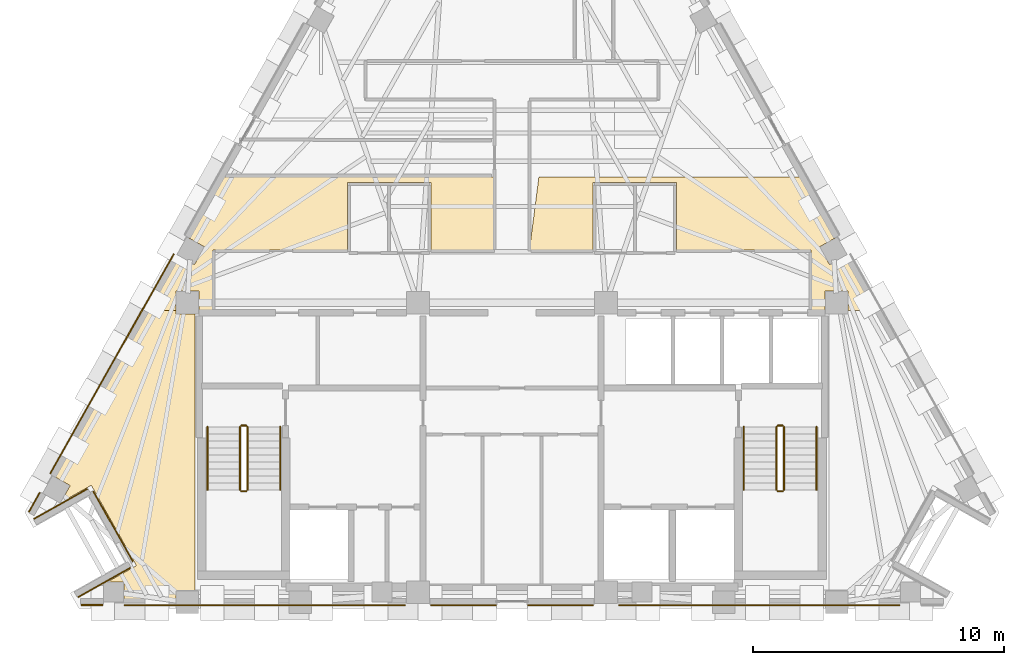
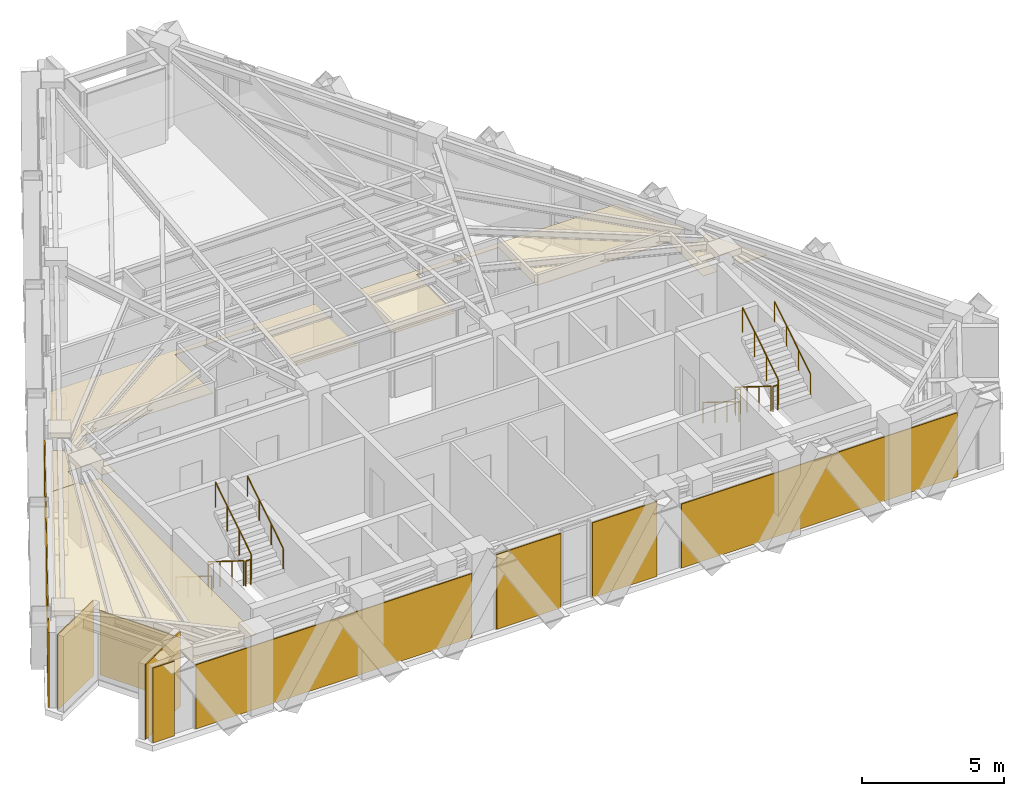
# One storey, part 8 of 9: 13 coverings, 12 railings.
"""IFC4 building model written with IfcOpenShell, lengths in metres."""

import ifcopenshell
import ifcopenshell.guid

model = None  # the IFC model being written
_history = None  # IfcOwnerHistory: only IFC2X3 demands one
_inside = {}  # id of a spatial element -> (the spatial element, [elements in it])
_under = {}  # id of a project, library or spatial element -> (it, [spatial elements below it])
_declared = {}  # id of a project -> (the project, [libraries it declares])
_typed = {}  # id of a type object -> (the type object, [elements of that type])
_made_of = {}  # id of a material, layer set ... -> (it, [elements and type objects made of it])


def new_model(schema):
    """Start an empty IFC model of exactly this schema.

    Asked for "IFC4X3", IfcOpenShell would pick the latest addendum, in which some entities
    have other attributes; the version numbers below select the first issue.
    IFC2X3 requires an IfcOwnerHistory on every rooted entity: one is made here for all.
    """
    global model, _history
    if schema == "IFC4X3":
        model = ifcopenshell.file(schema_version=(4, 3, 0, 0))
    else:
        model = ifcopenshell.file(schema=schema)
    _inside.clear()
    _under.clear()
    _declared.clear()
    _typed.clear()
    _made_of.clear()
    _history = None
    if model.schema == "IFC2X3":
        org = make("IfcOrganization", Name="unknown")
        user = make(
            "IfcPersonAndOrganization",
            ThePerson=make("IfcPerson", FamilyName="unknown"),
            TheOrganization=org,
        )
        app = make(
            "IfcApplication",
            ApplicationDeveloper=org,
            Version="unknown",
            ApplicationFullName="unknown",
            ApplicationIdentifier="unknown",
        )
        _history = make(
            "IfcOwnerHistory",
            OwningUser=user,
            OwningApplication=app,
            ChangeAction="ADDED",
            CreationDate=0,
        )
    return model


def make(cls, **values):
    """One entity of the class cls with the attributes given. An attribute that is None is left unset."""
    return model.create_entity(
        cls, **{name: value for name, value in values.items() if value is not None}
    )


def rooted(cls, **values):
    """An entity with a GlobalId (a new one), such as an element, a storey or a relation."""
    return make(cls, GlobalId=ifcopenshell.guid.new(), OwnerHistory=_history, **values)


def si_unit(unit_type, name, prefix=None):
    """IfcSIUnit, for example si_unit("LENGTHUNIT", "METRE", prefix="MILLI")."""
    return make("IfcSIUnit", UnitType=unit_type, Prefix=prefix, Name=name)


def assignment(units):
    """IfcUnitAssignment: the units of a project."""
    return None if units is None else make("IfcUnitAssignment", Units=units)


def point(xyz):
    """IfcCartesianPoint."""
    return None if xyz is None else make("IfcCartesianPoint", Coordinates=xyz)


def direction(xyz):
    """IfcDirection."""
    return None if xyz is None else make("IfcDirection", DirectionRatios=xyz)


def frame(location, z_axis=None, x_axis=None):
    """IfcAxis2Placement3D, a coordinate frame: its origin and axes. An axis left out is left unset."""
    return make(
        "IfcAxis2Placement3D",
        Location=point(location),
        Axis=direction(z_axis),
        RefDirection=direction(x_axis),
    )


def frame_2d(location, x_axis=None):
    """IfcAxis2Placement2D, a coordinate frame in the plane: its origin and x axis."""
    return make(
        "IfcAxis2Placement2D", Location=point(location), RefDirection=direction(x_axis)
    )


def origin():
    """The frame at (0, 0, 0) with its axes left unset."""
    return frame((0.0, 0.0, 0.0))


def origin_2d():
    """The frame at (0, 0) in the plane with its x axis left unset."""
    return frame_2d((0.0, 0.0))


def place(relative_to, where):
    """IfcLocalPlacement: puts the frame where relative to a parent placement (None: the world)."""
    return make(
        "IfcLocalPlacement", PlacementRelTo=relative_to, RelativePlacement=where
    )


def context(
    kind, dimensions, precision=None, world=None, true_north=None, identifier=None
):
    """IfcGeometricRepresentationContext, for example the 3D "Model" context."""
    return make(
        "IfcGeometricRepresentationContext",
        ContextIdentifier=identifier,
        ContextType=kind,
        CoordinateSpaceDimension=dimensions,
        Precision=precision,
        WorldCoordinateSystem=world,
        TrueNorth=true_north,
    )


def subcontext(parent, identifier, kind, view, scale=None):
    """IfcGeometricRepresentationSubContext, for example "Body" below "Model"."""
    return make(
        "IfcGeometricRepresentationSubContext",
        ContextIdentifier=identifier,
        ContextType=kind,
        ParentContext=parent,
        TargetScale=scale,
        TargetView=view,
    )


def project(units=None, contexts=None):
    """IfcProject with its units and contexts."""
    return rooted(
        "IfcProject",
        Name="project",
        RepresentationContexts=contexts,
        UnitsInContext=assignment(units),
    )


def spatial(cls, under=None, at=None, **own):
    """A site, building, storey or space (cls), placed at a placement, below another one or the project."""
    s = rooted(cls, ObjectPlacement=at, **own)
    if under is not None:
        _under.setdefault(under.id(), (under, []))[1].append(s)
    return s


def polyline(points):
    """IfcPolyline through the points."""
    return make("IfcPolyline", Points=[point(p) for p in points])


def profile(cls, at=None, kind="AREA", **sizes):
    """A parametric profile (cls). Its sizes go by their IFC names, for example OverallWidth=200.0."""
    return make(cls, ProfileType=kind, Position=at, **sizes)


def circle(**sizes):
    """IfcCircleProfileDef."""
    return profile("IfcCircleProfileDef", **sizes)


def outline(outer, holes=None, kind="AREA"):
    """IfcArbitraryClosedProfileDef: a profile drawn as a closed curve; with holes, ...WithVoids."""
    if holes is None:
        return make("IfcArbitraryClosedProfileDef", ProfileType=kind, OuterCurve=outer)
    return make(
        "IfcArbitraryProfileDefWithVoids",
        ProfileType=kind,
        OuterCurve=outer,
        InnerCurves=holes,
    )


def extrude(swept, where, along, depth):
    """IfcExtrudedAreaSolid: the profile swept, set in the frame where, extruded along a direction by depth."""
    return make(
        "IfcExtrudedAreaSolid",
        SweptArea=swept,
        Position=where,
        ExtrudedDirection=direction(along),
        Depth=depth,
    )


def shape(context_of_items, identifier, shape_type, items):
    """IfcShapeRepresentation: the items that make up one representation, for example the "Body"."""
    return make(
        "IfcShapeRepresentation",
        ContextOfItems=context_of_items,
        RepresentationIdentifier=identifier,
        RepresentationType=shape_type,
        Items=items,
    )


def material(Name=None, Category=None):
    """IfcMaterial."""
    return make("IfcMaterial", Name=Name, Category=Category)


def layer(
    of_material, thickness, ventilated=None, Name=None, Category=None, Priority=None
):
    """IfcMaterialLayer: one layer of a wall or slab, of a material (None: an air gap)."""
    return make(
        "IfcMaterialLayer",
        Material=of_material,
        LayerThickness=thickness,
        IsVentilated=ventilated,
        Name=Name,
        Category=Category,
        Priority=Priority,
    )


def layer_set(layers, Name=None):
    """IfcMaterialLayerSet."""
    return make("IfcMaterialLayerSet", MaterialLayers=layers, LayerSetName=Name)


def made_of(thing, what):
    """Note that an element or type object is made of a material, layer set ...; save() writes the relation."""
    if what is not None:
        _made_of.setdefault(what.id(), (what, []))[1].append(thing)
    return thing


def type_object(cls, material=None, **own):
    """A type object (cls), such as IfcWallType, which elements share."""
    return made_of(rooted(cls, **own), material)


def element(
    cls,
    number,
    at=None,
    inside=None,
    cuts=None,
    type_object=None,
    material=None,
    context=None,
    identifier="Body",
    shape_type=None,
    held_by="IfcProductDefinitionShape",
    body=None,
    shapes=None,
    **own,
):
    """One element of the class cls, such as IfcWall. Its Tag is "e" and its number.

    at: its placement. inside: the storey or other place that contains it. cuts: it is an
    opening in that element (IfcRelVoidsElement). A single representation is given by context,
    identifier, shape_type and body (its items); several are given by shapes. held_by: the class
    of the entity that holds the representations. save() writes the other relations.
    """
    e = rooted(cls, Tag="e%d" % number, ObjectPlacement=at, **own)
    if body is not None:
        shapes = [shape(context, identifier, shape_type, body)]
    if shapes is not None:
        e.Representation = make(held_by, Representations=shapes)
    if inside is not None:
        _inside.setdefault(inside.id(), (inside, []))[1].append(e)
    if cuts is not None:
        rooted(
            "IfcRelVoidsElement", RelatingBuildingElement=cuts, RelatedOpeningElement=e
        )
    if type_object is not None:
        _typed.setdefault(type_object.id(), (type_object, []))[1].append(e)
    return made_of(e, material)


def aggregate(whole, parts):
    """IfcRelAggregates: a whole, such as a stair, and the parts it consists of."""
    return rooted("IfcRelAggregates", RelatingObject=whole, RelatedObjects=parts)


def save(model, path):
    """Write the relations noted so far, then the file.

    IfcRelAggregates (storeys below a building ...), IfcRelContainedInSpatialStructure (elements
    in a storey), IfcRelDefinesByType, IfcRelAssociatesMaterial and IfcRelDeclares: one each for
    every whole, place, type object, material and project.
    """
    for whole, parts in _under.values():
        aggregate(whole, parts)
    for where, things in _inside.values():
        rooted(
            "IfcRelContainedInSpatialStructure",
            RelatedElements=things,
            RelatingStructure=where,
        )
    for kind, things in _typed.values():
        rooted("IfcRelDefinesByType", RelatedObjects=things, RelatingType=kind)
    for what, things in _made_of.values():
        rooted("IfcRelAssociatesMaterial", RelatedObjects=things, RelatingMaterial=what)
    for by, libraries in _declared.values():
        rooted("IfcRelDeclares", RelatingContext=by, RelatedDefinitions=libraries)
    model.write(path)


model = new_model("IFC4")

# Units and contexts
model_context = context("Model", 3, precision=1e-05, world=origin(), true_north=direction((0.0, 1.0)))
body_context = subcontext(model_context, "Body", "Model", "MODEL_VIEW")
ifc_project = project(units=[si_unit("LENGTHUNIT", "METRE"), si_unit("AREAUNIT", "SQUARE_METRE"), si_unit("VOLUMEUNIT", "CUBIC_METRE"), si_unit("PLANEANGLEUNIT", "RADIAN"), si_unit("MASSUNIT", "GRAM", prefix="KILO")], contexts=[model_context])

# Site, building, storey
site_placement = place(None, origin())
site = spatial("IfcSite", under=ifc_project, at=site_placement, CompositionType="ELEMENT")
building_placement = place(site_placement, origin())
building = spatial("IfcBuilding", under=site, at=building_placement, Name="Quenlor Broadcast Tower", CompositionType="ELEMENT")
storey_placement = place(building_placement, frame((0.0, 0.0, 256.89990234375)))
storey = spatial("IfcBuildingStorey", under=building, at=storey_placement, Name="L71", CompositionType="ELEMENT", Elevation=256.89990234375)

# Coverings
ifc_material_1 = material(Name="Acoustic Mineral Fibre Board", Category="other")
ifc_layer_1 = layer(ifc_material_1, 0.02490234375)
ifc_layer_set_1 = layer_set([ifc_layer_1], Name="Acoustic Perforated Mineral Tile Ceiling 25")
covering_type_1 = type_object("IfcCoveringType", Name="Acoustic Perforated Mineral Tile Ceiling 25", PredefinedType="CEILING", material=ifc_layer_set_1)
covering_1_placement = place(storey_placement, frame((0.0, 0.0, 2.714599609375)))
element("IfcCovering", 1, at=covering_1_placement, inside=storey, type_object=covering_type_1, Name="L71 Acoustic Ceiling L71-30", PredefinedType="CEILING", context=body_context, shape_type="SweptSolid", body=[
    extrude(outline(polyline([(-13.295654296875, -2.930419921875), (-12.669921875, -3.2822265625), (-12.27001953125, -2.571044921875), (-12.895751953125, -2.218994140625), (-11.520751953125, 0.22509765625), (-0.72998046875, 0.22509765625), (-0.72998046875, -2.699951171875), (-3.22998046875, -2.699951171875), (-3.22998046875, -0.010009765625), (-6.570068359375, -0.010009765625), (-6.570068359375, -2.699951171875), (-11.929931640625, -2.699951171875), (-11.929931640625, -5.1201171875), (-12.491943359375, -5.1201171875), (-12.491943359375, -4.342041015625), (-13.407958984375, -4.342041015625), (-13.407958984375, -5.1201171875), (-14.52734375, -5.1201171875), (-13.295654296875, -2.930419921875)])), origin(), (0.0, 0.0, 1.0), 0.025146484375),
])
covering_2_placement = place(storey_placement, frame((0.0, 0.0, 2.714599609375)))
element("IfcCovering", 2, at=covering_2_placement, inside=storey, type_object=covering_type_1, Name="L71 Acoustic Ceiling L71-30-2", PredefinedType="CEILING", context=body_context, shape_type="SweptSolid", body=[
    extrude(outline(polyline([(-18.25244140625, -11.7421875), (-14.52734375, -5.1201171875), (-13.407958984375, -5.1201171875), (-13.407958984375, -5.258056640625), (-12.64990234375, -5.258056640625), (-12.64990234375, -16.2919921875), (-13.407958984375, -16.2919921875), (-13.407958984375, -16.659912109375), (-15.489501953125, -16.659912109375), (-15.489501953125, -15.94189453125), (-16.1435546875, -15.94189453125), (-14.983642578125, -15.28955078125), (-16.785888671875, -12.085693359375), (-18.0087890625, -12.773681640625), (-17.626708984375, -12.09423828125), (-18.25244140625, -11.7421875)])), origin(), (0.0, 0.0, 1.0), 0.025146484375),
])
covering_3_placement = place(storey_placement, frame((0.0, 0.0, 2.714599609375)))
element("IfcCovering", 3, at=covering_3_placement, inside=storey, type_object=covering_type_1, Name="L71 Acoustic Ceiling L71-31", PredefinedType="CEILING", context=body_context, shape_type="SweptSolid", body=[
    extrude(outline(polyline([(13.407958984375, -4.342041015625), (12.491943359375, -4.342041015625), (12.491943359375, -5.1201171875), (11.929931640625, -5.1201171875), (11.929931640625, -2.699951171875), (6.570068359375, -2.699951171875), (6.570068359375, -0.010009765625), (3.22998046875, -0.010009765625), (3.22998046875, -2.699951171875), (0.72998046875, -2.699951171875), (0.72998046875, -2.4365234375), (1.07421875, 0.22509765625), (11.520751953125, 0.22509765625), (12.895751953125, -2.218994140625), (12.27001953125, -2.571044921875), (12.669921875, -3.2822265625), (13.295654296875, -2.930419921875), (14.52734375, -5.1201171875), (13.407958984375, -5.1201171875), (13.407958984375, -4.342041015625)])), origin(), (0.0, 0.0, 1.0), 0.025146484375),
])
ifc_material_2 = material(Name="Architectural Terracotta Ceramic", Category="masonry")
ifc_layer_2 = layer(ifc_material_2, 0.044921875)
ifc_layer_set_2 = layer_set([ifc_layer_2], Name="Fluted Terracotta Rainscreen Cladding Panel")
covering_type_2 = type_object("IfcCoveringType", Name="Fluted Terracotta Rainscreen Cladding Panel", PredefinedType="CLADDING", material=ifc_layer_set_2)
covering_4_placement = place(storey_placement, frame((0.0, 0.0, 0.02001953125)))
element("IfcCovering", 4, at=covering_4_placement, inside=storey, type_object=covering_type_2, Name="L71 Terracotta Rainscreen Cladding L71-SHD-SS1", PredefinedType="CLADDING", context=body_context, shape_type="SweptSolid", body=[
    extrude(outline(polyline([(-16.33251953125, -16.8369140625), (-17.18994140625, -16.8369140625), (-17.18994140625, -16.882080078125), (-16.33251953125, -16.882080078125), (-16.33251953125, -16.8369140625)])), origin(), (0.0, 0.0, 1.0), 3.2099609375),
])
covering_5_placement = place(storey_placement, frame((0.0, 0.0, 0.02001953125)))
element("IfcCovering", 5, at=covering_5_placement, inside=storey, type_object=covering_type_2, Name="L71 Terracotta Rainscreen Cladding L71-EW-SA", PredefinedType="CLADDING", context=body_context, shape_type="SweptSolid", body=[
    extrude(outline(polyline([(15.462646484375, -16.846923828125), (4.25, -16.846923828125), (4.25, -16.89208984375), (15.462646484375, -16.89208984375), (15.462646484375, -16.846923828125)])), origin(), (0.0, 0.0, 1.0), 2.749755859375),
])
covering_6_placement = place(storey_placement, frame((0.0, 0.0, 0.02001953125)))
element("IfcCovering", 6, at=covering_6_placement, inside=storey, type_object=covering_type_2, Name="L71 Terracotta Rainscreen Cladding L71-EW-SC", PredefinedType="CLADDING", context=body_context, shape_type="SweptSolid", body=[
    extrude(outline(polyline([(-4.25, -16.846923828125), (-15.462646484375, -16.846923828125), (-15.462646484375, -16.89208984375), (-4.25, -16.89208984375), (-4.25, -16.846923828125)])), origin(), (0.0, 0.0, 1.0), 2.749755859375),
])
covering_7_placement = place(storey_placement, frame((0.0, 0.0, 0.02001953125)))
element("IfcCovering", 7, at=covering_7_placement, inside=storey, type_object=covering_type_2, Name="L71 Terracotta Rainscreen Cladding L71-S-SP1", PredefinedType="CLADDING", context=body_context, shape_type="SweptSolid", body=[
    extrude(outline(polyline([(3.25, -16.846923828125), (0.6357421875, -16.846923828125), (0.6357421875, -16.89208984375), (3.25, -16.89208984375), (3.25, -16.846923828125)])), origin(), (0.0, 0.0, 1.0), 3.2099609375),
])
covering_8_placement = place(storey_placement, frame((0.0, 0.0, 0.02001953125)))
element("IfcCovering", 8, at=covering_8_placement, inside=storey, type_object=covering_type_2, Name="L71 Terracotta Rainscreen Cladding L71-S-SP2", PredefinedType="CLADDING", context=body_context, shape_type="SweptSolid", body=[
    extrude(outline(polyline([(-0.6357421875, -16.846923828125), (-3.25, -16.846923828125), (-3.25, -16.89208984375), (-0.6357421875, -16.89208984375), (-0.6357421875, -16.846923828125)])), origin(), (0.0, 0.0, 1.0), 3.2099609375),
])
covering_9_placement = place(storey_placement, frame((0.0, 0.0, 0.02001953125)))
element("IfcCovering", 9, at=covering_9_placement, inside=storey, type_object=covering_type_2, Name="L71 Terracotta Rainscreen Cladding L71-SHD-NWS0", PredefinedType="CLADDING", context=body_context, shape_type="SweptSolid", body=[
    extrude(outline(polyline([(-19.25390625, -13.161376953125), (-18.820068359375, -12.39013671875), (-18.859130859375, -12.3681640625), (-19.29296875, -13.139404296875), (-19.25390625, -13.161376953125)])), origin(), (0.0, 0.0, 1.0), 3.2099609375),
])
covering_10_placement = place(storey_placement, frame((0.0, 0.0, 0.02001953125)))
element("IfcCovering", 10, at=covering_10_placement, inside=storey, type_object=covering_type_2, Name="L71 Terracotta Rainscreen Cladding L71-EW-NWA", PredefinedType="CLADDING", context=body_context, shape_type="SweptSolid", body=[
    extrude(outline(polyline([(-18.402099609375, -11.626953125), (-13.471923828125, -2.862060546875), (-13.51123046875, -2.840087890625), (-18.44140625, -11.60498046875), (-18.402099609375, -11.626953125)])), origin(), (0.0, 0.0, 1.0), 3.2099609375),
])
covering_11_placement = place(storey_placement, frame((0.0, 0.0, 0.02001953125)))
element("IfcCovering", 11, at=covering_11_placement, inside=storey, type_object=covering_type_2, Name="L71 Terracotta Rainscreen Cladding L71-CNR-13", PredefinedType="CLADDING", context=body_context, shape_type="SweptSolid", body=[
    extrude(outline(polyline([(-19.062255859375, -13.444091796875), (-16.935546875, -12.247802734375), (-16.95751953125, -12.208740234375), (-19.084228515625, -13.405029296875), (-19.062255859375, -13.444091796875)])), origin(), (0.0, 0.0, 1.0), 3.2099609375),
])
covering_12_placement = place(storey_placement, frame((0.0, 0.0, 0.02001953125)))
element("IfcCovering", 12, at=covering_12_placement, inside=storey, type_object=covering_type_2, Name="L71 Terracotta Rainscreen Cladding L71-CNR-14", PredefinedType="CLADDING", context=body_context, shape_type="SweptSolid", body=[
    extrude(outline(polyline([(-16.72265625, -12.3369140625), (-15.14599609375, -15.139892578125), (-15.106689453125, -15.117919921875), (-16.683349609375, -12.31494140625), (-16.72265625, -12.3369140625)])), origin(), (0.0, 0.0, 1.0), 2.749755859375),
])
covering_13_placement = place(storey_placement, frame((0.0, 0.0, 0.02001953125)))
element("IfcCovering", 13, at=covering_13_placement, inside=storey, type_object=covering_type_2, Name="L71 Terracotta Rainscreen Cladding L71-CNR-15", PredefinedType="CLADDING", context=body_context, shape_type="SweptSolid", body=[
    extrude(outline(polyline([(-15.23486328125, -15.352783203125), (-17.32666015625, -16.529541015625), (-17.3046875, -16.568603515625), (-15.212890625, -15.39208984375), (-15.23486328125, -15.352783203125)])), origin(), (0.0, 0.0, 1.0), 3.2099609375),
])

# Railings
ifc_material_3 = material(Name="Anodised Aluminium", Category="aluminium")
railing_type_1 = type_object("IfcRailingType", Name="Stainless Aluminium Wall Handrail 900", PredefinedType="HANDRAIL", material=ifc_material_3)
railing_1_placement = place(storey_placement, frame((-12.14990234375, -9.75, 0.175048828125)))
element("IfcRailing", 14, at=railing_1_placement, inside=storey, type_object=railing_type_1, Name="L71 ST-1 stair handrail 1", PredefinedType="HANDRAIL", context=body_context, shape_type="SweptSolid", body=[
    extrude(circle(Radius=0.02392578125, at=origin_2d()), frame((0.0, 0.0, 0.8759765625), z_axis=(0.0, -0.848007534815, 0.529984170421), x_axis=(1.0, 0.0, 0.0)), (0.0, 0.0, 1.0), 2.9716796875),
    extrude(circle(Radius=0.02099609375, at=origin_2d()), origin(), (0.0, 0.0, 1.0), 0.851806640625),
    extrude(circle(Radius=0.02099609375, at=origin_2d()), frame((0.0, -0.840087890625, 0.52490234375)), (0.0, 0.0, 1.0), 0.851806640625),
    extrude(circle(Radius=0.02099609375, at=origin_2d()), frame((0.0, -1.679931640625, 1.050048828125)), (0.0, 0.0, 1.0), 0.851806640625),
    extrude(circle(Radius=0.02099609375, at=origin_2d()), frame((0.0, -2.52001953125, 1.574951171875)), (0.0, 0.0, 1.0), 0.851806640625),
])
railing_2_placement = place(storey_placement, frame((-9.25, -12.27001953125, 1.925048828125)))
element("IfcRailing", 15, at=railing_2_placement, inside=storey, type_object=railing_type_1, Name="L71 ST-1 stair handrail 2", PredefinedType="HANDRAIL", context=body_context, shape_type="SweptSolid", body=[
    extrude(circle(Radius=0.02392578125, at=origin_2d()), frame((0.0, 0.0, 0.8759765625), z_axis=(0.0, 0.848007534815, 0.529984170421), x_axis=(-1.0, 0.0, 0.0)), (0.0, 0.0, 1.0), 2.9716796875),
    extrude(circle(Radius=0.02099609375, at=origin_2d()), origin(), (0.0, 0.0, 1.0), 0.851806640625),
    extrude(circle(Radius=0.02099609375, at=origin_2d()), frame((0.0, 0.840087890625, 0.52490234375)), (0.0, 0.0, 1.0), 0.851806640625),
    extrude(circle(Radius=0.02099609375, at=origin_2d()), frame((0.0, 1.679931640625, 1.050048828125)), (0.0, 0.0, 1.0), 0.851806640625),
    extrude(circle(Radius=0.02099609375, at=origin_2d()), frame((0.0, 2.52001953125, 1.574951171875)), (0.0, 0.0, 1.0), 0.851806640625),
])
railing_3_placement = place(storey_placement, frame((9.25, -9.75, 0.175048828125)))
element("IfcRailing", 16, at=railing_3_placement, inside=storey, type_object=railing_type_1, Name="L71 ST-2 stair handrail 1", PredefinedType="HANDRAIL", context=body_context, shape_type="SweptSolid", body=[
    extrude(circle(Radius=0.02392578125, at=origin_2d()), frame((0.0, 0.0, 0.8759765625), z_axis=(0.0, -0.848007534815, 0.529984170421), x_axis=(1.0, 0.0, 0.0)), (0.0, 0.0, 1.0), 2.9716796875),
    extrude(circle(Radius=0.02099609375, at=origin_2d()), origin(), (0.0, 0.0, 1.0), 0.851806640625),
    extrude(circle(Radius=0.02099609375, at=origin_2d()), frame((0.0, -0.840087890625, 0.52490234375)), (0.0, 0.0, 1.0), 0.851806640625),
    extrude(circle(Radius=0.02099609375, at=origin_2d()), frame((0.0, -1.679931640625, 1.050048828125)), (0.0, 0.0, 1.0), 0.851806640625),
    extrude(circle(Radius=0.02099609375, at=origin_2d()), frame((0.0, -2.52001953125, 1.574951171875)), (0.0, 0.0, 1.0), 0.851806640625),
])
railing_4_placement = place(storey_placement, frame((12.14990234375, -12.27001953125, 1.925048828125)))
element("IfcRailing", 17, at=railing_4_placement, inside=storey, type_object=railing_type_1, Name="L71 ST-2 stair handrail 2", PredefinedType="HANDRAIL", context=body_context, shape_type="SweptSolid", body=[
    extrude(circle(Radius=0.02392578125, at=origin_2d()), frame((0.0, 0.0, 0.8759765625), z_axis=(0.0, 0.848007534815, 0.529984170421), x_axis=(-1.0, 0.0, 0.0)), (0.0, 0.0, 1.0), 2.9716796875),
    extrude(circle(Radius=0.02099609375, at=origin_2d()), origin(), (0.0, 0.0, 1.0), 0.851806640625),
    extrude(circle(Radius=0.02099609375, at=origin_2d()), frame((0.0, 0.840087890625, 0.52490234375)), (0.0, 0.0, 1.0), 0.851806640625),
    extrude(circle(Radius=0.02099609375, at=origin_2d()), frame((0.0, 1.679931640625, 1.050048828125)), (0.0, 0.0, 1.0), 0.851806640625),
    extrude(circle(Radius=0.02099609375, at=origin_2d()), frame((0.0, 2.52001953125, 1.574951171875)), (0.0, 0.0, 1.0), 0.851806640625),
])
ifc_material_4 = material(Name="Steel S355", Category="steel")
railing_type_2 = type_object("IfcRailingType", Name="Tubular Steel S355 Stair Guardrail 1100", PredefinedType="BALUSTRADE", material=ifc_material_4)
railing_5_placement = place(storey_placement, frame((-10.85009765625, -9.75, 0.175048828125)))
element("IfcRailing", 18, at=railing_5_placement, inside=storey, type_object=railing_type_2, Name="L71 ST-1 stair guard 1", PredefinedType="BALUSTRADE", context=body_context, shape_type="SweptSolid", body=[
    extrude(circle(Radius=0.02392578125, at=origin_2d()), frame((0.0, 0.0, 1.076171875), z_axis=(0.0, -0.848007534815, 0.529984170421), x_axis=(1.0, 0.0, 0.0)), (0.0, 0.0, 1.0), 2.9716796875),
    extrude(circle(Radius=0.02099609375, at=origin_2d()), origin(), (0.0, 0.0, 1.0), 1.052001953125),
    extrude(circle(Radius=0.02099609375, at=origin_2d()), frame((0.0, -0.840087890625, 0.52490234375)), (0.0, 0.0, 1.0), 1.052001953125),
    extrude(circle(Radius=0.02099609375, at=origin_2d()), frame((0.0, -1.679931640625, 1.050048828125)), (0.0, 0.0, 1.0), 1.052001953125),
    extrude(circle(Radius=0.02099609375, at=origin_2d()), frame((0.0, -2.52001953125, 1.574951171875)), (0.0, 0.0, 1.0), 1.052001953125),
])
railing_6_placement = place(storey_placement, frame((-10.800048828125, -12.320068359375, 1.75)))
element("IfcRailing", 19, at=railing_6_placement, inside=storey, type_object=railing_type_2, Name="L71 ST-1 stair guard 2", PredefinedType="BALUSTRADE", context=body_context, shape_type="SweptSolid", body=[
    extrude(circle(Radius=0.02392578125, at=origin_2d()), frame((0.0, 0.0, 1.076171875), z_axis=(1.0, 0.0, 0.0), x_axis=(0.0, 1.0, 0.0)), (0.0, 0.0, 1.0), 0.199951171875),
    extrude(circle(Radius=0.02099609375, at=origin_2d()), origin(), (0.0, 0.0, 1.0), 1.052001953125),
    extrude(circle(Radius=0.02099609375, at=origin_2d()), frame((0.199951171875, 0.0, 0.0)), (0.0, 0.0, 1.0), 1.052001953125),
])
railing_7_placement = place(storey_placement, frame((-10.550048828125, -12.27001953125, 1.925048828125)))
element("IfcRailing", 20, at=railing_7_placement, inside=storey, type_object=railing_type_2, Name="L71 ST-1 stair guard 3", PredefinedType="BALUSTRADE", context=body_context, shape_type="SweptSolid", body=[
    extrude(circle(Radius=0.02392578125, at=origin_2d()), frame((0.0, 0.0, 1.076171875), z_axis=(0.0, 0.848007534815, 0.529984170421), x_axis=(-1.0, 0.0, 0.0)), (0.0, 0.0, 1.0), 2.9716796875),
    extrude(circle(Radius=0.02099609375, at=origin_2d()), origin(), (0.0, 0.0, 1.0), 1.052001953125),
    extrude(circle(Radius=0.02099609375, at=origin_2d()), frame((0.0, 0.840087890625, 0.52490234375)), (0.0, 0.0, 1.0), 1.052001953125),
    extrude(circle(Radius=0.02099609375, at=origin_2d()), frame((0.0, 1.679931640625, 1.050048828125)), (0.0, 0.0, 1.0), 1.052001953125),
    extrude(circle(Radius=0.02099609375, at=origin_2d()), frame((0.0, 2.52001953125, 1.574951171875)), (0.0, 0.0, 1.0), 1.052001953125),
])
railing_8_placement = place(storey_placement, frame((-10.800048828125, -9.699951171875, 0.0)))
element("IfcRailing", 21, at=railing_8_placement, inside=storey, type_object=railing_type_2, Name="L71 ST-1 stair guard 4", PredefinedType="BALUSTRADE", context=body_context, shape_type="SweptSolid", body=[
    extrude(circle(Radius=0.02392578125, at=origin_2d()), frame((0.0, 0.0, 1.076171875), z_axis=(1.0, 0.0, 0.0), x_axis=(0.0, 1.0, 0.0)), (0.0, 0.0, 1.0), 0.199951171875),
    extrude(circle(Radius=0.02099609375, at=origin_2d()), origin(), (0.0, 0.0, 1.0), 1.052001953125),
    extrude(circle(Radius=0.02099609375, at=origin_2d()), frame((0.199951171875, 0.0, 0.0)), (0.0, 0.0, 1.0), 1.052001953125),
])
railing_9_placement = place(storey_placement, frame((10.550048828125, -9.75, 0.175048828125)))
element("IfcRailing", 22, at=railing_9_placement, inside=storey, type_object=railing_type_2, Name="L71 ST-2 stair guard 1", PredefinedType="BALUSTRADE", context=body_context, shape_type="SweptSolid", body=[
    extrude(circle(Radius=0.02392578125, at=origin_2d()), frame((0.0, 0.0, 1.076171875), z_axis=(0.0, -0.848007534815, 0.529984170421), x_axis=(1.0, 0.0, 0.0)), (0.0, 0.0, 1.0), 2.9716796875),
    extrude(circle(Radius=0.02099609375, at=origin_2d()), origin(), (0.0, 0.0, 1.0), 1.052001953125),
    extrude(circle(Radius=0.02099609375, at=origin_2d()), frame((0.0, -0.840087890625, 0.52490234375)), (0.0, 0.0, 1.0), 1.052001953125),
    extrude(circle(Radius=0.02099609375, at=origin_2d()), frame((0.0, -1.679931640625, 1.050048828125)), (0.0, 0.0, 1.0), 1.052001953125),
    extrude(circle(Radius=0.02099609375, at=origin_2d()), frame((0.0, -2.52001953125, 1.574951171875)), (0.0, 0.0, 1.0), 1.052001953125),
])
railing_10_placement = place(storey_placement, frame((10.60009765625, -12.320068359375, 1.75)))
element("IfcRailing", 23, at=railing_10_placement, inside=storey, type_object=railing_type_2, Name="L71 ST-2 stair guard 2", PredefinedType="BALUSTRADE", context=body_context, shape_type="SweptSolid", body=[
    extrude(circle(Radius=0.02392578125, at=origin_2d()), frame((0.0, 0.0, 1.076171875), z_axis=(1.0, 0.0, 0.0), x_axis=(0.0, 1.0, 0.0)), (0.0, 0.0, 1.0), 0.199951171875),
    extrude(circle(Radius=0.02099609375, at=origin_2d()), origin(), (0.0, 0.0, 1.0), 1.052001953125),
    extrude(circle(Radius=0.02099609375, at=origin_2d()), frame((0.199951171875, 0.0, 0.0)), (0.0, 0.0, 1.0), 1.052001953125),
])
railing_11_placement = place(storey_placement, frame((10.85009765625, -12.27001953125, 1.925048828125)))
element("IfcRailing", 24, at=railing_11_placement, inside=storey, type_object=railing_type_2, Name="L71 ST-2 stair guard 3", PredefinedType="BALUSTRADE", context=body_context, shape_type="SweptSolid", body=[
    extrude(circle(Radius=0.02392578125, at=origin_2d()), frame((0.0, 0.0, 1.076171875), z_axis=(0.0, 0.848007534815, 0.529984170421), x_axis=(-1.0, 0.0, 0.0)), (0.0, 0.0, 1.0), 2.9716796875),
    extrude(circle(Radius=0.02099609375, at=origin_2d()), origin(), (0.0, 0.0, 1.0), 1.052001953125),
    extrude(circle(Radius=0.02099609375, at=origin_2d()), frame((0.0, 0.840087890625, 0.52490234375)), (0.0, 0.0, 1.0), 1.052001953125),
    extrude(circle(Radius=0.02099609375, at=origin_2d()), frame((0.0, 1.679931640625, 1.050048828125)), (0.0, 0.0, 1.0), 1.052001953125),
    extrude(circle(Radius=0.02099609375, at=origin_2d()), frame((0.0, 2.52001953125, 1.574951171875)), (0.0, 0.0, 1.0), 1.052001953125),
])
railing_12_placement = place(storey_placement, frame((10.60009765625, -9.699951171875, 0.0)))
element("IfcRailing", 25, at=railing_12_placement, inside=storey, type_object=railing_type_2, Name="L71 ST-2 stair guard 4", PredefinedType="BALUSTRADE", context=body_context, shape_type="SweptSolid", body=[
    extrude(circle(Radius=0.02392578125, at=origin_2d()), frame((0.0, 0.0, 1.076171875), z_axis=(1.0, 0.0, 0.0), x_axis=(0.0, 1.0, 0.0)), (0.0, 0.0, 1.0), 0.199951171875),
    extrude(circle(Radius=0.02099609375, at=origin_2d()), origin(), (0.0, 0.0, 1.0), 1.052001953125),
    extrude(circle(Radius=0.02099609375, at=origin_2d()), frame((0.199951171875, 0.0, 0.0)), (0.0, 0.0, 1.0), 1.052001953125),
])

save(model, "model.ifc")
